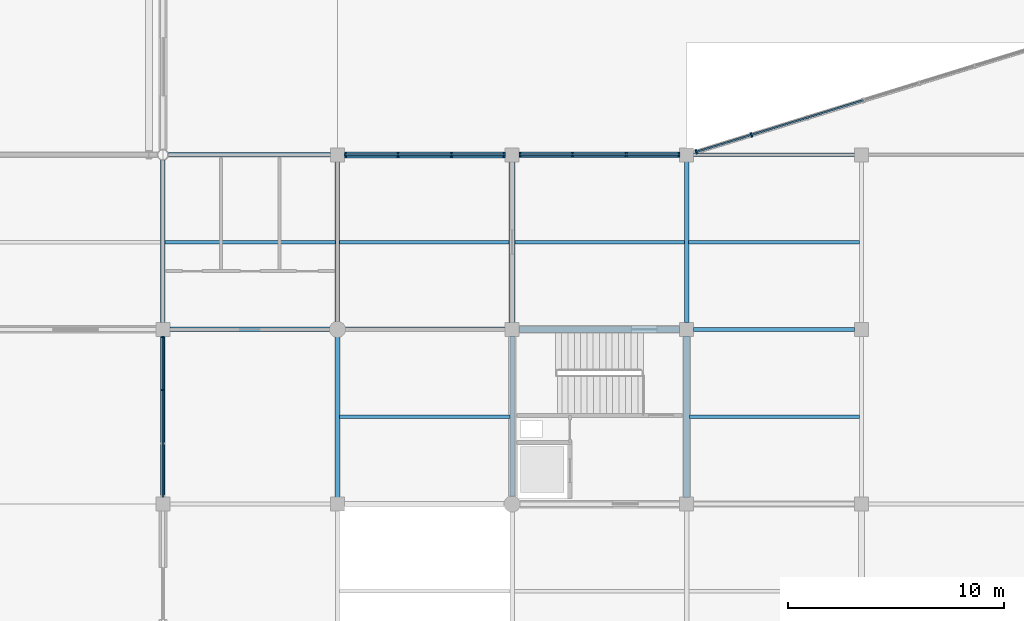
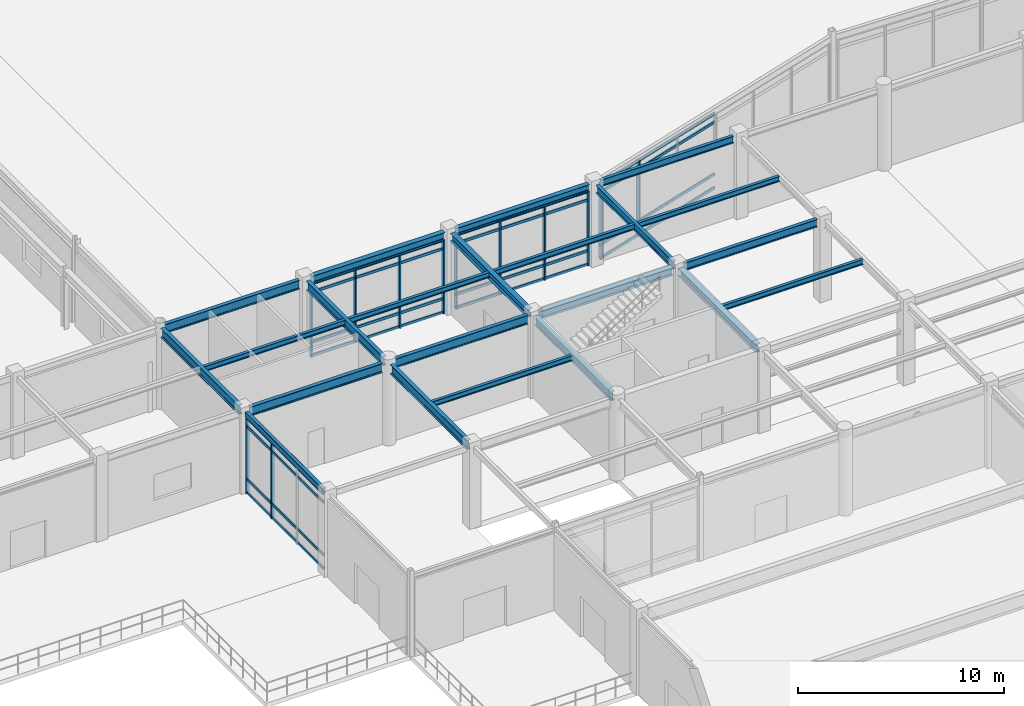
# One storey, part 25 of 99: 28 members, 22 beams, 4 elements without a shape of their own.
"""IFC4 building model written with IfcOpenShell, lengths in metres."""

import ifcopenshell
import ifcopenshell.guid

model = None  # the IFC model being written
_history = None  # IfcOwnerHistory: only IFC2X3 demands one
_inside = {}  # id of a spatial element -> (the spatial element, [elements in it])
_under = {}  # id of a project, library or spatial element -> (it, [spatial elements below it])
_declared = {}  # id of a project -> (the project, [libraries it declares])
_typed = {}  # id of a type object -> (the type object, [elements of that type])
_made_of = {}  # id of a material, layer set ... -> (it, [elements and type objects made of it])


def new_model(schema):
    """Start an empty IFC model of exactly this schema.

    Asked for "IFC4X3", IfcOpenShell would pick the latest addendum, in which some entities
    have other attributes; the version numbers below select the first issue.
    IFC2X3 requires an IfcOwnerHistory on every rooted entity: one is made here for all.
    """
    global model, _history
    if schema == "IFC4X3":
        model = ifcopenshell.file(schema_version=(4, 3, 0, 0))
    else:
        model = ifcopenshell.file(schema=schema)
    _inside.clear()
    _under.clear()
    _declared.clear()
    _typed.clear()
    _made_of.clear()
    _history = None
    if model.schema == "IFC2X3":
        org = make("IfcOrganization", Name="unknown")
        user = make(
            "IfcPersonAndOrganization",
            ThePerson=make("IfcPerson", FamilyName="unknown"),
            TheOrganization=org,
        )
        app = make(
            "IfcApplication",
            ApplicationDeveloper=org,
            Version="unknown",
            ApplicationFullName="unknown",
            ApplicationIdentifier="unknown",
        )
        _history = make(
            "IfcOwnerHistory",
            OwningUser=user,
            OwningApplication=app,
            ChangeAction="ADDED",
            CreationDate=0,
        )
    return model


def make(cls, **values):
    """One entity of the class cls with the attributes given. An attribute that is None is left unset."""
    return model.create_entity(
        cls, **{name: value for name, value in values.items() if value is not None}
    )


def rooted(cls, **values):
    """An entity with a GlobalId (a new one), such as an element, a storey or a relation."""
    return make(cls, GlobalId=ifcopenshell.guid.new(), OwnerHistory=_history, **values)


def si_unit(unit_type, name, prefix=None):
    """IfcSIUnit, for example si_unit("LENGTHUNIT", "METRE", prefix="MILLI")."""
    return make("IfcSIUnit", UnitType=unit_type, Prefix=prefix, Name=name)


def assignment(units):
    """IfcUnitAssignment: the units of a project."""
    return None if units is None else make("IfcUnitAssignment", Units=units)


def point(xyz):
    """IfcCartesianPoint."""
    return None if xyz is None else make("IfcCartesianPoint", Coordinates=xyz)


def direction(xyz):
    """IfcDirection."""
    return None if xyz is None else make("IfcDirection", DirectionRatios=xyz)


def frame(location, z_axis=None, x_axis=None):
    """IfcAxis2Placement3D, a coordinate frame: its origin and axes. An axis left out is left unset."""
    return make(
        "IfcAxis2Placement3D",
        Location=point(location),
        Axis=direction(z_axis),
        RefDirection=direction(x_axis),
    )


def frame_2d(location, x_axis=None):
    """IfcAxis2Placement2D, a coordinate frame in the plane: its origin and x axis."""
    return make(
        "IfcAxis2Placement2D", Location=point(location), RefDirection=direction(x_axis)
    )


def origin():
    """The frame at (0, 0, 0) with its axes left unset."""
    return frame((0.0, 0.0, 0.0))


def origin_2d():
    """The frame at (0, 0) in the plane with its x axis left unset."""
    return frame_2d((0.0, 0.0))


def place(relative_to, where):
    """IfcLocalPlacement: puts the frame where relative to a parent placement (None: the world)."""
    return make(
        "IfcLocalPlacement", PlacementRelTo=relative_to, RelativePlacement=where
    )


def context(
    kind, dimensions, precision=None, world=None, true_north=None, identifier=None
):
    """IfcGeometricRepresentationContext, for example the 3D "Model" context."""
    return make(
        "IfcGeometricRepresentationContext",
        ContextIdentifier=identifier,
        ContextType=kind,
        CoordinateSpaceDimension=dimensions,
        Precision=precision,
        WorldCoordinateSystem=world,
        TrueNorth=true_north,
    )


def subcontext(parent, identifier, kind, view, scale=None):
    """IfcGeometricRepresentationSubContext, for example "Body" below "Model"."""
    return make(
        "IfcGeometricRepresentationSubContext",
        ContextIdentifier=identifier,
        ContextType=kind,
        ParentContext=parent,
        TargetScale=scale,
        TargetView=view,
    )


def project(units=None, contexts=None):
    """IfcProject with its units and contexts."""
    return rooted(
        "IfcProject",
        Name="project",
        RepresentationContexts=contexts,
        UnitsInContext=assignment(units),
    )


def spatial(cls, under=None, at=None, **own):
    """A site, building, storey or space (cls), placed at a placement, below another one or the project."""
    s = rooted(cls, ObjectPlacement=at, **own)
    if under is not None:
        _under.setdefault(under.id(), (under, []))[1].append(s)
    return s


def profile(cls, at=None, kind="AREA", **sizes):
    """A parametric profile (cls). Its sizes go by their IFC names, for example OverallWidth=200.0."""
    return make(cls, ProfileType=kind, Position=at, **sizes)


def rectangle(**sizes):
    """IfcRectangleProfileDef."""
    return profile("IfcRectangleProfileDef", **sizes)


def hollow_rectangle(**sizes):
    """IfcRectangleHollowProfileDef."""
    return profile("IfcRectangleHollowProfileDef", **sizes)


def i_section(**sizes):
    """IfcIShapeProfileDef."""
    return profile("IfcIShapeProfileDef", **sizes)


def extrude(swept, where, along, depth):
    """IfcExtrudedAreaSolid: the profile swept, set in the frame where, extruded along a direction by depth."""
    return make(
        "IfcExtrudedAreaSolid",
        SweptArea=swept,
        Position=where,
        ExtrudedDirection=direction(along),
        Depth=depth,
    )


def shape(context_of_items, identifier, shape_type, items):
    """IfcShapeRepresentation: the items that make up one representation, for example the "Body"."""
    return make(
        "IfcShapeRepresentation",
        ContextOfItems=context_of_items,
        RepresentationIdentifier=identifier,
        RepresentationType=shape_type,
        Items=items,
    )


def material(Name=None, Category=None):
    """IfcMaterial."""
    return make("IfcMaterial", Name=Name, Category=Category)


def layer(
    of_material, thickness, ventilated=None, Name=None, Category=None, Priority=None
):
    """IfcMaterialLayer: one layer of a wall or slab, of a material (None: an air gap)."""
    return make(
        "IfcMaterialLayer",
        Material=of_material,
        LayerThickness=thickness,
        IsVentilated=ventilated,
        Name=Name,
        Category=Category,
        Priority=Priority,
    )


def layer_set(layers, Name=None):
    """IfcMaterialLayerSet."""
    return make("IfcMaterialLayerSet", MaterialLayers=layers, LayerSetName=Name)


def material_profile(
    of_material, cross_section, Name=None, Category=None, Priority=None
):
    """IfcMaterialProfile: a cross section and its material."""
    return make(
        "IfcMaterialProfile",
        Name=Name,
        Material=of_material,
        Profile=cross_section,
        Priority=Priority,
        Category=Category,
    )


def profile_set(profiles, Name=None, composite=None):
    """IfcMaterialProfileSet."""
    return make(
        "IfcMaterialProfileSet",
        Name=Name,
        MaterialProfiles=profiles,
        CompositeProfile=composite,
    )


def made_of(thing, what):
    """Note that an element or type object is made of a material, layer set ...; save() writes the relation."""
    if what is not None:
        _made_of.setdefault(what.id(), (what, []))[1].append(thing)
    return thing


def type_object(cls, material=None, **own):
    """A type object (cls), such as IfcWallType, which elements share."""
    return made_of(rooted(cls, **own), material)


def element(
    cls,
    number,
    at=None,
    inside=None,
    cuts=None,
    type_object=None,
    material=None,
    context=None,
    identifier="Body",
    shape_type=None,
    held_by="IfcProductDefinitionShape",
    body=None,
    shapes=None,
    **own,
):
    """One element of the class cls, such as IfcWall. Its Tag is "e" and its number.

    at: its placement. inside: the storey or other place that contains it. cuts: it is an
    opening in that element (IfcRelVoidsElement). A single representation is given by context,
    identifier, shape_type and body (its items); several are given by shapes. held_by: the class
    of the entity that holds the representations. save() writes the other relations.
    """
    e = rooted(cls, Tag="e%d" % number, ObjectPlacement=at, **own)
    if body is not None:
        shapes = [shape(context, identifier, shape_type, body)]
    if shapes is not None:
        e.Representation = make(held_by, Representations=shapes)
    if inside is not None:
        _inside.setdefault(inside.id(), (inside, []))[1].append(e)
    if cuts is not None:
        rooted(
            "IfcRelVoidsElement", RelatingBuildingElement=cuts, RelatedOpeningElement=e
        )
    if type_object is not None:
        _typed.setdefault(type_object.id(), (type_object, []))[1].append(e)
    return made_of(e, material)


def aggregate(whole, parts):
    """IfcRelAggregates: a whole, such as a stair, and the parts it consists of."""
    return rooted("IfcRelAggregates", RelatingObject=whole, RelatedObjects=parts)


def save(model, path):
    """Write the relations noted so far, then the file.

    IfcRelAggregates (storeys below a building ...), IfcRelContainedInSpatialStructure (elements
    in a storey), IfcRelDefinesByType, IfcRelAssociatesMaterial and IfcRelDeclares: one each for
    every whole, place, type object, material and project.
    """
    for whole, parts in _under.values():
        aggregate(whole, parts)
    for where, things in _inside.values():
        rooted(
            "IfcRelContainedInSpatialStructure",
            RelatedElements=things,
            RelatingStructure=where,
        )
    for kind, things in _typed.values():
        rooted("IfcRelDefinesByType", RelatedObjects=things, RelatingType=kind)
    for what, things in _made_of.values():
        rooted("IfcRelAssociatesMaterial", RelatedObjects=things, RelatingMaterial=what)
    for by, libraries in _declared.values():
        rooted("IfcRelDeclares", RelatingContext=by, RelatedDefinitions=libraries)
    model.write(path)


model = new_model("IFC4")

# Units and contexts
model_context = context("Model", 3, precision=1e-05, world=origin(), true_north=direction((0.0, 1.0)))
body_context = subcontext(model_context, "Body", "Model", "MODEL_VIEW")
ifc_project = project(units=[si_unit("LENGTHUNIT", "METRE"), si_unit("AREAUNIT", "SQUARE_METRE"), si_unit("VOLUMEUNIT", "CUBIC_METRE"), si_unit("PLANEANGLEUNIT", "RADIAN"), si_unit("MASSUNIT", "GRAM", prefix="KILO")], contexts=[model_context])

# Site, building, storey
site_placement = place(None, origin())
site = spatial("IfcSite", under=ifc_project, at=site_placement, CompositionType="ELEMENT")
building_placement = place(site_placement, origin())
building = spatial("IfcBuilding", under=site, at=building_placement, Name="Vaudrelin Polytechnic", CompositionType="ELEMENT")
storey_placement = place(building_placement, origin())
storey = spatial("IfcBuildingStorey", under=building, at=storey_placement, Name="L00", CompositionType="ELEMENT", Elevation=0.0)

# Beams
ifc_material_1 = material(Name="Steel CSA G40.21 350W", Category="steel")
ifc_material_profile_1 = material_profile(ifc_material_1, i_section(OverallWidth=0.178955078125, OverallDepth=0.409912109375, WebThickness=0.0087890625, FlangeThickness=0.014404296875, FilletRadius=0.01611328125, at=origin_2d()), Name="W410x67")
ifc_profile_set_1 = profile_set([ifc_material_profile_1], Name="Steel CSA G40.21 350W")
beam_type_1 = type_object("IfcBeamType", Name="BM-BM-W410", PredefinedType="BEAM", material=ifc_profile_set_1)
beam_1_placement = place(storey_placement, frame((57.02099609375, 48.60009765625, 4.614990234375), z_axis=(1.0, 0.0, 0.0), x_axis=(0.0, 1.0, 0.0)))
element("IfcBeam", 1, at=beam_1_placement, inside=storey, type_object=beam_type_1, Name="L00 X-beam 8-7", PredefinedType="BEAM", context=body_context, shape_type="SweptSolid", body=[
    extrude(i_section(OverallWidth=0.178955078125, OverallDepth=0.409912109375, WebThickness=0.0087890625, FlangeThickness=0.014404296875, FilletRadius=0.01611328125, at=origin_2d()), origin(), (0.0, 0.0, 1.0), 7.4580078125),
])
ifc_material_2 = material(Name="Steel CSA G40.21 350WT", Category="steel")
ifc_material_profile_2 = material_profile(ifc_material_2, i_section(OverallWidth=0.260009765625, OverallDepth=0.4150390625, WebThickness=0.010009765625, FlangeThickness=0.016845703125, FilletRadius=0.01611328125, at=origin_2d()), Name="W410x100")
ifc_profile_set_2 = profile_set([ifc_material_profile_2], Name="Steel CSA G40.21 350WT")
beam_type_2 = type_object("IfcBeamType", Name="BM-BM-W410H", PredefinedType="SPANDREL", material=ifc_profile_set_2)
beam_2_placement = place(storey_placement, frame((48.9208984375, 48.60009765625, 4.612548828125), z_axis=(1.0, 0.0, 0.0), x_axis=(0.0, 1.0, 0.0)))
element("IfcBeam", 2, at=beam_2_placement, inside=storey, type_object=beam_type_2, Name="L00 X-beam 7-7", PredefinedType="SPANDREL", context=body_context, shape_type="SweptSolid", body=[
    extrude(i_section(OverallWidth=0.260009765625, OverallDepth=0.4150390625, WebThickness=0.010009765625, FlangeThickness=0.016845703125, FilletRadius=0.01611328125, at=origin_2d()), origin(), (0.0, 0.0, 1.0), 7.4580078125),
])
ifc_material_profile_3 = material_profile(ifc_material_2, i_section(OverallWidth=0.19091796875, OverallDepth=0.4599609375, WebThickness=0.010009765625, FlangeThickness=0.01611328125, FilletRadius=0.01806640625, at=origin_2d()), Name="W460x82")
ifc_profile_set_3 = profile_set([ifc_material_profile_3], Name="Steel CSA G40.21 350WT")
beam_type_3 = type_object("IfcBeamType", Name="BM-BM-W460", PredefinedType="BEAM", material=ifc_profile_set_3)
beam_3_placement = place(storey_placement, frame((56.699951171875, 40.81005859375, 4.590087890625), z_axis=(0.0, 1.0, 0.0), x_axis=(-1.0, 0.0, 0.0)))
element("IfcBeam", 3, at=beam_3_placement, inside=storey, type_object=beam_type_3, Name="L00 Y-beam 8-6", PredefinedType="BEAM", context=body_context, shape_type="SweptSolid", body=[
    extrude(i_section(OverallWidth=0.19091796875, OverallDepth=0.4599609375, WebThickness=0.010009765625, FlangeThickness=0.01611328125, FilletRadius=0.01806640625, at=origin_2d()), origin(), (0.0, 0.0, 1.0), 7.47998046875),
])
beam_4_placement = place(storey_placement, frame((57.02099609375, 40.5, 4.590087890625), z_axis=(1.0, 0.0, 0.0), x_axis=(0.0, 1.0, 0.0)))
element("IfcBeam", 4, at=beam_4_placement, inside=storey, type_object=beam_type_3, Name="L00 X-beam 8-6", PredefinedType="BEAM", context=body_context, shape_type="SweptSolid", body=[
    extrude(i_section(OverallWidth=0.19091796875, OverallDepth=0.4599609375, WebThickness=0.010009765625, FlangeThickness=0.01611328125, FilletRadius=0.01806640625, at=origin_2d()), origin(), (0.0, 0.0, 1.0), 7.4580078125),
])
ifc_material_profile_4 = material_profile(ifc_material_1, i_section(OverallWidth=0.280029296875, OverallDepth=0.462890625, WebThickness=0.0107421875, FlangeThickness=0.017333984375, FilletRadius=0.01806640625, at=origin_2d()), Name="W460x113")
ifc_profile_set_4 = profile_set([ifc_material_profile_4], Name="Steel CSA G40.21 350W")
beam_type_4 = type_object("IfcBeamType", Name="BM-BM-W460H", PredefinedType="BEAM", material=ifc_profile_set_4)
for number, where, z_axis, x_axis, name in (
    (5, (48.60009765625, 40.81005859375, 4.58837890625), (0.0, 1.0, 0.0), (-1.0, 0.0, 0.0), "L00 Y-beam 7-6"),
    (6, (56.699951171875, 32.7099609375, 4.58837890625), (0.0, 1.0, 0.0), (-1.0, 0.0, 0.0), "L00 Y-beam 8-5"),
):
    element("IfcBeam", number, at=place(storey_placement, frame(where, z_axis=z_axis, x_axis=x_axis)), inside=storey, type_object=beam_type_4, Name=name, PredefinedType="BEAM", context=body_context, shape_type="SweptSolid", body=[
        extrude(i_section(OverallWidth=0.280029296875, OverallDepth=0.462890625, WebThickness=0.0107421875, FlangeThickness=0.017333984375, FilletRadius=0.01806640625, at=origin_2d()), origin(), (0.0, 0.0, 1.0), 7.47998046875),
    ])
for number, where, z_axis, x_axis, name in (
    (7, (40.821044921875, 48.60009765625, 4.58837890625), (1.0, 0.0, 0.0), (0.0, 1.0, 0.0), "L00 X-beam 6-7"),
    (8, (48.9208984375, 40.5, 4.58837890625), (1.0, 0.0, 0.0), (0.0, 1.0, 0.0), "L00 X-beam 7-6"),
):
    element("IfcBeam", number, at=place(storey_placement, frame(where, z_axis=z_axis, x_axis=x_axis)), inside=storey, type_object=beam_type_4, Name=name, PredefinedType="BEAM", context=body_context, shape_type="SweptSolid", body=[
        extrude(i_section(OverallWidth=0.280029296875, OverallDepth=0.462890625, WebThickness=0.0107421875, FlangeThickness=0.017333984375, FilletRadius=0.01806640625, at=origin_2d()), origin(), (0.0, 0.0, 1.0), 7.4580078125),
    ])
ifc_material_profile_5 = material_profile(ifc_material_1, i_section(OverallWidth=0.208984375, OverallDepth=0.532958984375, WebThickness=0.01025390625, FlangeThickness=0.015625, FilletRadius=0.01904296875, at=origin_2d()), Name="W530x92")
ifc_profile_set_5 = profile_set([ifc_material_profile_5], Name="Steel CSA G40.21 350W")
beam_type_5 = type_object("IfcBeamType", Name="BM-BM-W530", PredefinedType="BEAM", material=ifc_profile_set_5)
for number, where, z_axis, x_axis, name in (
    (9, (40.5, 40.860107421875, 4.553466796875), (0.0, 1.0, 0.0), (-1.0, 0.0, 0.0), "L00 Y-beam 6-6"),
    (10, (48.60009765625, 32.760009765625, 4.553466796875), (0.0, 1.0, 0.0), (-1.0, 0.0, 0.0), "L00 Y-beam 7-5"),
):
    element("IfcBeam", number, at=place(storey_placement, frame(where, z_axis=z_axis, x_axis=x_axis)), inside=storey, type_object=beam_type_5, Name=name, PredefinedType="BEAM", context=body_context, shape_type="SweptSolid", body=[
        extrude(i_section(OverallWidth=0.208984375, OverallDepth=0.532958984375, WebThickness=0.01025390625, FlangeThickness=0.015625, FilletRadius=0.01904296875, at=origin_2d()), origin(), (0.0, 0.0, 1.0), 7.429931640625),
    ])
beam_5_placement = place(storey_placement, frame((32.64990234375, 48.60009765625, 4.553466796875), z_axis=(1.0, 0.0, 0.0), x_axis=(0.0, 1.0, 0.0)))
element("IfcBeam", 11, at=beam_5_placement, inside=storey, type_object=beam_type_5, Name="L00 X-beam 5-7", PredefinedType="BEAM", context=body_context, shape_type="SweptSolid", body=[
    extrude(i_section(OverallWidth=0.208984375, OverallDepth=0.532958984375, WebThickness=0.01025390625, FlangeThickness=0.015625, FilletRadius=0.01904296875, at=origin_2d()), origin(), (0.0, 0.0, 1.0), 7.529052734375),
])
beam_6_placement = place(storey_placement, frame((40.87109375, 40.5, 4.553466796875), z_axis=(1.0, 0.0, 0.0), x_axis=(0.0, 1.0, 0.0)))
element("IfcBeam", 12, at=beam_6_placement, inside=storey, type_object=beam_type_5, Name="L00 X-beam 6-6", PredefinedType="BEAM", context=body_context, shape_type="SweptSolid", body=[
    extrude(i_section(OverallWidth=0.208984375, OverallDepth=0.532958984375, WebThickness=0.01025390625, FlangeThickness=0.015625, FilletRadius=0.01904296875, at=origin_2d()), origin(), (0.0, 0.0, 1.0), 7.407958984375),
])
ifc_material_profile_6 = material_profile(ifc_material_1, i_section(OverallWidth=0.214111328125, OverallDepth=0.549072265625, WebThickness=0.0146484375, FlangeThickness=0.023681640625, FilletRadius=0.01904296875, at=origin_2d()), Name="W530x138")
ifc_profile_set_6 = profile_set([ifc_material_profile_6], Name="Steel CSA G40.21 350W")
beam_type_6 = type_object("IfcBeamType", Name="BM-BM-W530H", PredefinedType="BEAM", material=ifc_profile_set_6)
beam_7_placement = place(storey_placement, frame((32.39990234375, 40.81005859375, 4.54541015625), z_axis=(0.0, 1.0, 0.0), x_axis=(-1.0, 0.0, 0.0)))
element("IfcBeam", 13, at=beam_7_placement, inside=storey, type_object=beam_type_6, Name="L00 Y-beam 5-6", PredefinedType="BEAM", context=body_context, shape_type="SweptSolid", body=[
    extrude(i_section(OverallWidth=0.214111328125, OverallDepth=0.549072265625, WebThickness=0.0146484375, FlangeThickness=0.023681640625, FilletRadius=0.01904296875, at=origin_2d()), origin(), (0.0, 0.0, 1.0), 7.551025390625),
])
beam_8_placement = place(storey_placement, frame((40.5, 32.7099609375, 4.54541015625), z_axis=(0.0, 1.0, 0.0), x_axis=(-1.0, 0.0, 0.0)))
element("IfcBeam", 14, at=beam_8_placement, inside=storey, type_object=beam_type_6, Name="L00 Y-beam 6-5", PredefinedType="BEAM", context=body_context, shape_type="SweptSolid", body=[
    extrude(i_section(OverallWidth=0.214111328125, OverallDepth=0.549072265625, WebThickness=0.0146484375, FlangeThickness=0.023681640625, FilletRadius=0.01904296875, at=origin_2d()), origin(), (0.0, 0.0, 1.0), 7.429931640625),
])
beam_9_placement = place(storey_placement, frame((32.720947265625, 40.5, 4.54541015625), z_axis=(1.0, 0.0, 0.0), x_axis=(0.0, 1.0, 0.0)))
element("IfcBeam", 15, at=beam_9_placement, inside=storey, type_object=beam_type_6, Name="L00 X-beam 5-6", PredefinedType="BEAM", context=body_context, shape_type="SweptSolid", body=[
    extrude(i_section(OverallWidth=0.214111328125, OverallDepth=0.549072265625, WebThickness=0.0146484375, FlangeThickness=0.023681640625, FilletRadius=0.01904296875, at=origin_2d()), origin(), (0.0, 0.0, 1.0), 7.407958984375),
])
ifc_material_profile_7 = material_profile(ifc_material_1, i_section(OverallWidth=0.1669921875, OverallDepth=0.31689453125, WebThickness=0.007568359375, FlangeThickness=0.01318359375, FilletRadius=0.013916015625, at=origin_2d()), Name="W310x52")
ifc_profile_set_7 = profile_set([ifc_material_profile_7], Name="Steel CSA G40.21 350W")
beam_type_7 = type_object("IfcBeamType", Name="BM-JS-W310", PredefinedType="JOIST", material=ifc_profile_set_7)
for number, where, z_axis, x_axis, name in (
    (16, (32.5029296875, 44.550048828125, 4.66162109375), (1.0, 0.0, 0.0), (0.0, 1.0, 0.0), "L00 floor joist 5-6"),
    (17, (40.60302734375, 36.449951171875, 4.66162109375), (1.0, 0.0, 0.0), (0.0, 1.0, 0.0), "L00 floor joist 6-5"),
):
    element("IfcBeam", number, at=place(storey_placement, frame(where, z_axis=z_axis, x_axis=x_axis)), inside=storey, type_object=beam_type_7, Name=name, PredefinedType="JOIST", context=body_context, shape_type="SweptSolid", body=[
        extrude(i_section(OverallWidth=0.1669921875, OverallDepth=0.31689453125, WebThickness=0.007568359375, FlangeThickness=0.01318359375, FilletRadius=0.013916015625, at=origin_2d()), origin(), (0.0, 0.0, 1.0), 7.896484375),
    ])
beam_10_placement = place(storey_placement, frame((40.6005859375, 44.550048828125, 4.66162109375), z_axis=(1.0, 0.0, 0.0), x_axis=(0.0, 1.0, 0.0)))
element("IfcBeam", 18, at=beam_10_placement, inside=storey, type_object=beam_type_7, Name="L00 floor joist 6-6", PredefinedType="JOIST", context=body_context, shape_type="SweptSolid", body=[
    extrude(i_section(OverallWidth=0.1669921875, OverallDepth=0.31689453125, WebThickness=0.007568359375, FlangeThickness=0.01318359375, FilletRadius=0.013916015625, at=origin_2d()), origin(), (0.0, 0.0, 1.0), 7.863525390625),
])
beam_11_placement = place(storey_placement, frame((48.736083984375, 44.550048828125, 4.66162109375), z_axis=(1.0, 0.0, 0.0), x_axis=(0.0, 1.0, 0.0)))
element("IfcBeam", 19, at=beam_11_placement, inside=storey, type_object=beam_type_7, Name="L00 floor joist 7-6", PredefinedType="JOIST", context=body_context, shape_type="SweptSolid", body=[
    extrude(i_section(OverallWidth=0.1669921875, OverallDepth=0.31689453125, WebThickness=0.007568359375, FlangeThickness=0.01318359375, FilletRadius=0.013916015625, at=origin_2d()), origin(), (0.0, 0.0, 1.0), 7.872314453125),
])
beam_12_placement = place(storey_placement, frame((56.8359375, 36.449951171875, 4.66162109375), z_axis=(1.0, 0.0, 0.0), x_axis=(0.0, 1.0, 0.0)))
element("IfcBeam", 20, at=beam_12_placement, inside=storey, type_object=beam_type_7, Name="L00 floor joist 8-5", PredefinedType="JOIST", context=body_context, shape_type="SweptSolid", body=[
    extrude(i_section(OverallWidth=0.1669921875, OverallDepth=0.31689453125, WebThickness=0.007568359375, FlangeThickness=0.01318359375, FilletRadius=0.013916015625, at=origin_2d()), origin(), (0.0, 0.0, 1.0), 7.87255859375),
])
beam_13_placement = place(storey_placement, frame((56.79150390625, 44.550048828125, 4.66162109375), z_axis=(1.0, 0.0, 0.0), x_axis=(0.0, 1.0, 0.0)))
element("IfcBeam", 21, at=beam_13_placement, inside=storey, type_object=beam_type_7, Name="L00 floor joist 8-6", PredefinedType="JOIST", context=body_context, shape_type="SweptSolid", body=[
    extrude(i_section(OverallWidth=0.1669921875, OverallDepth=0.31689453125, WebThickness=0.007568359375, FlangeThickness=0.01318359375, FilletRadius=0.013916015625, at=origin_2d()), origin(), (0.0, 0.0, 1.0), 7.923095703125),
])
ifc_material_profile_8 = material_profile(ifc_material_2, hollow_rectangle(XDim=0.202880859375, YDim=0.304931640625, WallThickness=0.010986328125, InnerFilletRadius=0.010986328125, OuterFilletRadius=0.022216796875, at=origin_2d()), Name="HSS305x203x11.1")
ifc_profile_set_8 = profile_set([ifc_material_profile_8], Name="Steel CSA G40.21 350WT")
beam_type_8 = type_object("IfcBeamType", Name="BM-SP-HSS30", PredefinedType="SPANDREL", material=ifc_profile_set_8)
beam_14_placement = place(storey_placement, frame((32.39990234375, 32.7099609375, 4.66748046875), z_axis=(0.0, 1.0, 0.0), x_axis=(-1.0, 0.0, 0.0)))
element("IfcBeam", 22, at=beam_14_placement, inside=storey, type_object=beam_type_8, Name="L00 Y-beam 5-5", PredefinedType="SPANDREL", context=body_context, shape_type="SweptSolid", body=[
    extrude(hollow_rectangle(XDim=0.202880859375, YDim=0.304931640625, WallThickness=0.010986328125, InnerFilletRadius=0.010986328125, OuterFilletRadius=0.022216796875, at=origin_2d()), origin(), (0.0, 0.0, 1.0), 7.47998046875),
])

# Curtain wall, members
ifc_material_3 = material(Name="Thermally broken anodised aluminium AA 6063-T6 and low-e triple glazing", Category="aluminium")
ifc_layer_1 = layer(ifc_material_3, 0.199951171875)
ifc_layer_set_1 = layer_set([ifc_layer_1], Name="Thermally broken anodised aluminium AA 6063-T6 and low-e triple glazing")
curtain_wall_type_1 = type_object("IfcCurtainWallType", Name="CW-CW-POR", PredefinedType="USERDEFINED", material=ifc_layer_set_1)
curtain_wall_1_placement = place(storey_placement, origin())
curtain_wall_1 = element("IfcCurtainWall", 23, at=curtain_wall_1_placement, inside=storey, type_object=curtain_wall_type_1, Name="Curtain wall L00 W_PORCH_01", ObjectType="CURTAIN WALL", PredefinedType="USERDEFINED")
ifc_material_4 = material(Name="Anodised aluminium AA 6063-T6", Category="aluminium")
ifc_material_profile_9 = material_profile(ifc_material_4, rectangle(XDim=0.06494140625, YDim=0.179931640625, at=origin_2d()), Name="CWM-65x180")
ifc_profile_set_9 = profile_set([ifc_material_profile_9], Name="Anodised aluminium AA 6063-T6")
member_type_1 = type_object("IfcMemberType", Name="MEM-CWM-180", PredefinedType="MULLION", material=ifc_profile_set_9)
member_1_placement = place(storey_placement, frame((32.39990234375, 37.6923828125, 0.0), z_axis=(0.0, 0.0, 1.0), x_axis=(0.0, 1.0, 0.0)))
member_1 = element("IfcMember", 24, at=member_1_placement, type_object=member_type_1, Name="W_PORCH_01 mullion 3", PredefinedType="MULLION", context=body_context, shape_type="SweptSolid", body=[
    extrude(rectangle(XDim=0.06494140625, YDim=0.179931640625, at=origin_2d()), origin(), (0.0, 0.0, 1.0), 4.51708984375),
])
member_2_placement = place(storey_placement, frame((32.39990234375, 40.136962890625, 0.0), z_axis=(0.0, 0.0, 1.0), x_axis=(0.0, 1.0, 0.0)))
member_2 = element("IfcMember", 25, at=member_2_placement, type_object=member_type_1, Name="W_PORCH_01 mullion 4", PredefinedType="MULLION", context=body_context, shape_type="SweptSolid", body=[
    extrude(rectangle(XDim=0.06494140625, YDim=0.179931640625, at=origin_2d()), origin(), (0.0, 0.0, 1.0), 4.51708984375),
])

ifc_layer_2 = layer(ifc_material_3, 0.199951171875)
ifc_layer_set_2 = layer_set([ifc_layer_2], Name="Thermally broken anodised aluminium AA 6063-T6 and low-e triple glazing")
curtain_wall_type_2 = type_object("IfcCurtainWallType", Name="CW-CW-WG", PredefinedType="USERDEFINED", material=ifc_layer_set_2)
curtain_wall_2_placement = place(storey_placement, origin())
curtain_wall_2 = element("IfcCurtainWall", 26, at=curtain_wall_2_placement, inside=storey, type_object=curtain_wall_type_2, Name="Curtain wall L00 CT_S_00", ObjectType="CURTAIN WALL", PredefinedType="USERDEFINED")
ifc_material_profile_10 = material_profile(ifc_material_4, rectangle(XDim=0.074951171875, YDim=0.219970703125, at=origin_2d()), Name="CWM-75x220")
ifc_profile_set_10 = profile_set([ifc_material_profile_10], Name="Anodised aluminium AA 6063-T6")
member_type_2 = type_object("IfcMemberType", Name="MEM-CWM-220", PredefinedType="MULLION", material=ifc_profile_set_10)
member_3_placement = place(storey_placement, frame((40.863037109375, 48.60009765625, 0.0), z_axis=(0.0, 0.0, 1.0), x_axis=(1.0, 0.0, 0.0)))
member_3 = element("IfcMember", 27, at=member_3_placement, type_object=member_type_2, Name="CT_S_00 mullion 1", PredefinedType="MULLION", context=body_context, shape_type="SweptSolid", body=[
    extrude(rectangle(XDim=0.074951171875, YDim=0.219970703125, at=origin_2d()), origin(), (0.0, 0.0, 1.0), 4.35888671875),
])
member_4_placement = place(storey_placement, frame((43.3076171875, 48.60009765625, 0.0), z_axis=(0.0, 0.0, 1.0), x_axis=(1.0, 0.0, 0.0)))
member_4 = element("IfcMember", 28, at=member_4_placement, type_object=member_type_2, Name="CT_S_00 mullion 2", PredefinedType="MULLION", context=body_context, shape_type="SweptSolid", body=[
    extrude(rectangle(XDim=0.074951171875, YDim=0.219970703125, at=origin_2d()), origin(), (0.0, 0.0, 1.0), 4.35888671875),
])
member_5_placement = place(storey_placement, frame((45.792236328125, 48.60009765625, 0.0), z_axis=(0.0, 0.0, 1.0), x_axis=(1.0, 0.0, 0.0)))
member_5 = element("IfcMember", 29, at=member_5_placement, type_object=member_type_2, Name="CT_S_00 mullion 3", PredefinedType="MULLION", context=body_context, shape_type="SweptSolid", body=[
    extrude(rectangle(XDim=0.074951171875, YDim=0.219970703125, at=origin_2d()), origin(), (0.0, 0.0, 1.0), 4.35888671875),
])
member_6_placement = place(storey_placement, frame((48.237060546875, 48.60009765625, 0.0), z_axis=(0.0, 0.0, 1.0), x_axis=(1.0, 0.0, 0.0)))
member_6 = element("IfcMember", 30, at=member_6_placement, type_object=member_type_2, Name="CT_S_00 mullion 4", PredefinedType="MULLION", context=body_context, shape_type="SweptSolid", body=[
    extrude(rectangle(XDim=0.074951171875, YDim=0.219970703125, at=origin_2d()), origin(), (0.0, 0.0, 1.0), 4.35888671875),
])

curtain_wall_3_placement = place(storey_placement, origin())
curtain_wall_3 = element("IfcCurtainWall", 31, at=curtain_wall_3_placement, inside=storey, type_object=curtain_wall_type_2, Name="Curtain wall L00 CT_S_01", ObjectType="CURTAIN WALL", PredefinedType="USERDEFINED")
member_7_placement = place(storey_placement, frame((48.962890625, 48.60009765625, 0.0), z_axis=(0.0, 0.0, 1.0), x_axis=(1.0, 0.0, 0.0)))
member_7 = element("IfcMember", 32, at=member_7_placement, type_object=member_type_2, Name="CT_S_01 mullion 1", PredefinedType="MULLION", context=body_context, shape_type="SweptSolid", body=[
    extrude(rectangle(XDim=0.074951171875, YDim=0.219970703125, at=origin_2d()), origin(), (0.0, 0.0, 1.0), 4.406982421875),
])
member_8_placement = place(storey_placement, frame((51.40771484375, 48.60009765625, 0.0), z_axis=(0.0, 0.0, 1.0), x_axis=(1.0, 0.0, 0.0)))
member_8 = element("IfcMember", 33, at=member_8_placement, type_object=member_type_2, Name="CT_S_01 mullion 2", PredefinedType="MULLION", context=body_context, shape_type="SweptSolid", body=[
    extrude(rectangle(XDim=0.074951171875, YDim=0.219970703125, at=origin_2d()), origin(), (0.0, 0.0, 1.0), 4.406982421875),
])
member_9_placement = place(storey_placement, frame((53.892333984375, 48.60009765625, 0.0), z_axis=(0.0, 0.0, 1.0), x_axis=(1.0, 0.0, 0.0)))
member_9 = element("IfcMember", 34, at=member_9_placement, type_object=member_type_2, Name="CT_S_01 mullion 3", PredefinedType="MULLION", context=body_context, shape_type="SweptSolid", body=[
    extrude(rectangle(XDim=0.074951171875, YDim=0.219970703125, at=origin_2d()), origin(), (0.0, 0.0, 1.0), 4.406982421875),
])
member_10_placement = place(storey_placement, frame((56.3369140625, 48.60009765625, 0.0), z_axis=(0.0, 0.0, 1.0), x_axis=(1.0, 0.0, 0.0)))
member_10 = element("IfcMember", 35, at=member_10_placement, type_object=member_type_2, Name="CT_S_01 mullion 4", PredefinedType="MULLION", context=body_context, shape_type="SweptSolid", body=[
    extrude(rectangle(XDim=0.074951171875, YDim=0.219970703125, at=origin_2d()), origin(), (0.0, 0.0, 1.0), 4.406982421875),
])

curtain_wall_4_placement = place(storey_placement, origin())
curtain_wall_4 = element("IfcCurtainWall", 36, at=curtain_wall_4_placement, inside=storey, type_object=curtain_wall_type_2, Name="Curtain wall L00 CT_OR1_1_0", ObjectType="CURTAIN WALL", PredefinedType="USERDEFINED")
member_11_placement = place(storey_placement, frame((57.144287109375, 48.7373046875, 0.0), z_axis=(0.0, 0.0, 1.0), x_axis=(0.95552585244, 0.294907350399, 0.0)))
member_11 = element("IfcMember", 37, at=member_11_placement, type_object=member_type_2, Name="CT_OR1_1_0 mullion 1", PredefinedType="MULLION", context=body_context, shape_type="SweptSolid", body=[
    extrude(rectangle(XDim=0.074951171875, YDim=0.219970703125, at=origin_2d()), origin(), (0.0, 0.0, 1.0), 4.489990234375),
])
member_12_placement = place(storey_placement, frame((59.69970703125, 49.52587890625, 0.0), z_axis=(0.0, 0.0, 1.0), x_axis=(0.95552585244, 0.294907350399, 0.0)))
member_12 = element("IfcMember", 38, at=member_12_placement, type_object=member_type_2, Name="CT_OR1_1_0 mullion 2", PredefinedType="MULLION", context=body_context, shape_type="SweptSolid", body=[
    extrude(rectangle(XDim=0.074951171875, YDim=0.219970703125, at=origin_2d()), origin(), (0.0, 0.0, 1.0), 4.489990234375),
])

# Member
ifc_material_profile_11 = material_profile(ifc_material_4, rectangle(XDim=0.074951171875, YDim=0.1650390625, at=origin_2d()), Name="CWT-75x165")
ifc_profile_set_11 = profile_set([ifc_material_profile_11], Name="Anodised aluminium AA 6063-T6")
member_type_3 = type_object("IfcMemberType", Name="MEM-CWT-165", PredefinedType="USERDEFINED", material=ifc_profile_set_11)
member_13_placement = place(storey_placement, frame((32.39990234375, 32.722900390625, 0.050048828125), z_axis=(0.0, 1.0, 0.0), x_axis=(-1.0, 0.0, 0.0)))
member_13 = element("IfcMember", 39, at=member_13_placement, type_object=member_type_3, Name="W_PORCH_01 transom 1", ObjectType="TRANSOM", PredefinedType="USERDEFINED", context=body_context, shape_type="SweptSolid", body=[
    extrude(rectangle(XDim=0.074951171875, YDim=0.1650390625, at=origin_2d()), origin(), (0.0, 0.0, 1.0), 7.4541015625),
])

member_14_placement = place(storey_placement, frame((32.39990234375, 32.722900390625, 0.85009765625), z_axis=(0.0, 1.0, 0.0), x_axis=(-1.0, 0.0, 0.0)))
member_14 = element("IfcMember", 40, at=member_14_placement, type_object=member_type_3, Name="W_PORCH_01 transom 2", ObjectType="TRANSOM", PredefinedType="USERDEFINED", context=body_context, shape_type="SweptSolid", body=[
    extrude(rectangle(XDim=0.074951171875, YDim=0.1650390625, at=origin_2d()), origin(), (0.0, 0.0, 1.0), 7.4541015625),
])

member_15_placement = place(storey_placement, frame((32.39990234375, 32.722900390625, 3.967041015625), z_axis=(0.0, 1.0, 0.0), x_axis=(-1.0, 0.0, 0.0)))
member_15 = element("IfcMember", 41, at=member_15_placement, type_object=member_type_3, Name="W_PORCH_01 transom 3", ObjectType="TRANSOM", PredefinedType="USERDEFINED", context=body_context, shape_type="SweptSolid", body=[
    extrude(rectangle(XDim=0.074951171875, YDim=0.1650390625, at=origin_2d()), origin(), (0.0, 0.0, 1.0), 7.4541015625),
])

member_16_placement = place(storey_placement, frame((32.39990234375, 32.722900390625, 4.467041015625), z_axis=(0.0, 1.0, 0.0), x_axis=(-1.0, 0.0, 0.0)))
member_16 = element("IfcMember", 42, at=member_16_placement, type_object=member_type_3, Name="W_PORCH_01 transom 4", ObjectType="TRANSOM", PredefinedType="USERDEFINED", context=body_context, shape_type="SweptSolid", body=[
    extrude(rectangle(XDim=0.074951171875, YDim=0.1650390625, at=origin_2d()), origin(), (0.0, 0.0, 1.0), 7.4541015625),
])

aggregate(curtain_wall_1, [member_1, member_2, member_13, member_14, member_15, member_16])

member_17_placement = place(storey_placement, frame((40.822998046875, 48.60009765625, 0.050048828125), z_axis=(1.0, 0.0, 0.0), x_axis=(0.0, 1.0, 0.0)))
member_17 = element("IfcMember", 43, at=member_17_placement, type_object=member_type_3, Name="CT_S_00 transom 1", ObjectType="TRANSOM", PredefinedType="USERDEFINED", context=body_context, shape_type="SweptSolid", body=[
    extrude(rectangle(XDim=0.074951171875, YDim=0.1650390625, at=origin_2d()), origin(), (0.0, 0.0, 1.0), 7.4541015625),
])

member_18_placement = place(storey_placement, frame((40.822998046875, 48.60009765625, 0.85009765625), z_axis=(1.0, 0.0, 0.0), x_axis=(0.0, 1.0, 0.0)))
member_18 = element("IfcMember", 44, at=member_18_placement, type_object=member_type_3, Name="CT_S_00 transom 2", ObjectType="TRANSOM", PredefinedType="USERDEFINED", context=body_context, shape_type="SweptSolid", body=[
    extrude(rectangle(XDim=0.074951171875, YDim=0.1650390625, at=origin_2d()), origin(), (0.0, 0.0, 1.0), 7.4541015625),
])

member_19_placement = place(storey_placement, frame((40.822998046875, 48.60009765625, 3.80908203125), z_axis=(1.0, 0.0, 0.0), x_axis=(0.0, 1.0, 0.0)))
member_19 = element("IfcMember", 45, at=member_19_placement, type_object=member_type_3, Name="CT_S_00 transom 3", ObjectType="TRANSOM", PredefinedType="USERDEFINED", context=body_context, shape_type="SweptSolid", body=[
    extrude(rectangle(XDim=0.074951171875, YDim=0.1650390625, at=origin_2d()), origin(), (0.0, 0.0, 1.0), 7.4541015625),
])

member_20_placement = place(storey_placement, frame((40.822998046875, 48.60009765625, 4.30908203125), z_axis=(1.0, 0.0, 0.0), x_axis=(0.0, 1.0, 0.0)))
member_20 = element("IfcMember", 46, at=member_20_placement, type_object=member_type_3, Name="CT_S_00 transom 4", ObjectType="TRANSOM", PredefinedType="USERDEFINED", context=body_context, shape_type="SweptSolid", body=[
    extrude(rectangle(XDim=0.074951171875, YDim=0.1650390625, at=origin_2d()), origin(), (0.0, 0.0, 1.0), 7.4541015625),
])

aggregate(curtain_wall_2, [member_3, member_4, member_5, member_6, member_17, member_18, member_19, member_20])

member_21_placement = place(storey_placement, frame((48.923095703125, 48.60009765625, 0.050048828125), z_axis=(1.0, 0.0, 0.0), x_axis=(0.0, 1.0, 0.0)))
member_21 = element("IfcMember", 47, at=member_21_placement, type_object=member_type_3, Name="CT_S_01 transom 1", ObjectType="TRANSOM", PredefinedType="USERDEFINED", context=body_context, shape_type="SweptSolid", body=[
    extrude(rectangle(XDim=0.074951171875, YDim=0.1650390625, at=origin_2d()), origin(), (0.0, 0.0, 1.0), 7.453857421875),
])

member_22_placement = place(storey_placement, frame((48.923095703125, 48.60009765625, 0.85009765625), z_axis=(1.0, 0.0, 0.0), x_axis=(0.0, 1.0, 0.0)))
member_22 = element("IfcMember", 48, at=member_22_placement, type_object=member_type_3, Name="CT_S_01 transom 2", ObjectType="TRANSOM", PredefinedType="USERDEFINED", context=body_context, shape_type="SweptSolid", body=[
    extrude(rectangle(XDim=0.074951171875, YDim=0.1650390625, at=origin_2d()), origin(), (0.0, 0.0, 1.0), 7.453857421875),
])

member_23_placement = place(storey_placement, frame((48.923095703125, 48.60009765625, 3.85693359375), z_axis=(1.0, 0.0, 0.0), x_axis=(0.0, 1.0, 0.0)))
member_23 = element("IfcMember", 49, at=member_23_placement, type_object=member_type_3, Name="CT_S_01 transom 3", ObjectType="TRANSOM", PredefinedType="USERDEFINED", context=body_context, shape_type="SweptSolid", body=[
    extrude(rectangle(XDim=0.074951171875, YDim=0.1650390625, at=origin_2d()), origin(), (0.0, 0.0, 1.0), 7.453857421875),
])

member_24_placement = place(storey_placement, frame((48.923095703125, 48.60009765625, 4.35693359375), z_axis=(1.0, 0.0, 0.0), x_axis=(0.0, 1.0, 0.0)))
member_24 = element("IfcMember", 50, at=member_24_placement, type_object=member_type_3, Name="CT_S_01 transom 4", ObjectType="TRANSOM", PredefinedType="USERDEFINED", context=body_context, shape_type="SweptSolid", body=[
    extrude(rectangle(XDim=0.074951171875, YDim=0.1650390625, at=origin_2d()), origin(), (0.0, 0.0, 1.0), 7.453857421875),
])

aggregate(curtain_wall_3, [member_7, member_8, member_9, member_10, member_21, member_22, member_23, member_24])

member_25_placement = place(storey_placement, frame((57.106201171875, 48.725341796875, 0.050048828125), z_axis=(0.955519310838, 0.294928544934, 0.0), x_axis=(-0.294928544934, 0.955519310838, 0.0)))
member_25 = element("IfcMember", 51, at=member_25_placement, type_object=member_type_3, Name="CT_OR1_1_0 transom 1", ObjectType="TRANSOM", PredefinedType="USERDEFINED", context=body_context, shape_type="SweptSolid", body=[
    extrude(rectangle(XDim=0.074951171875, YDim=0.1650390625, at=origin_2d()), origin(), (0.0, 0.0, 1.0), 8.14208984375),
])

member_26_placement = place(storey_placement, frame((57.106201171875, 48.725341796875, 0.85009765625), z_axis=(0.955519310838, 0.294928544934, 0.0), x_axis=(-0.294928544934, 0.955519310838, 0.0)))
member_26 = element("IfcMember", 52, at=member_26_placement, type_object=member_type_3, Name="CT_OR1_1_0 transom 2", ObjectType="TRANSOM", PredefinedType="USERDEFINED", context=body_context, shape_type="SweptSolid", body=[
    extrude(rectangle(XDim=0.074951171875, YDim=0.1650390625, at=origin_2d()), origin(), (0.0, 0.0, 1.0), 8.14208984375),
])

member_27_placement = place(storey_placement, frame((57.106201171875, 48.725341796875, 3.93994140625), z_axis=(0.955519310838, 0.294928544934, 0.0), x_axis=(-0.294928544934, 0.955519310838, 0.0)))
member_27 = element("IfcMember", 53, at=member_27_placement, type_object=member_type_3, Name="CT_OR1_1_0 transom 3", ObjectType="TRANSOM", PredefinedType="USERDEFINED", context=body_context, shape_type="SweptSolid", body=[
    extrude(rectangle(XDim=0.074951171875, YDim=0.1650390625, at=origin_2d()), origin(), (0.0, 0.0, 1.0), 8.14208984375),
])

member_28_placement = place(storey_placement, frame((57.106201171875, 48.725341796875, 4.43994140625), z_axis=(0.955519310838, 0.294928544934, 0.0), x_axis=(-0.294928544934, 0.955519310838, 0.0)))
member_28 = element("IfcMember", 54, at=member_28_placement, type_object=member_type_3, Name="CT_OR1_1_0 transom 4", ObjectType="TRANSOM", PredefinedType="USERDEFINED", context=body_context, shape_type="SweptSolid", body=[
    extrude(rectangle(XDim=0.074951171875, YDim=0.1650390625, at=origin_2d()), origin(), (0.0, 0.0, 1.0), 8.14208984375),
])

aggregate(curtain_wall_4, [member_11, member_12, member_25, member_26, member_27, member_28])

save(model, "model.ifc")
